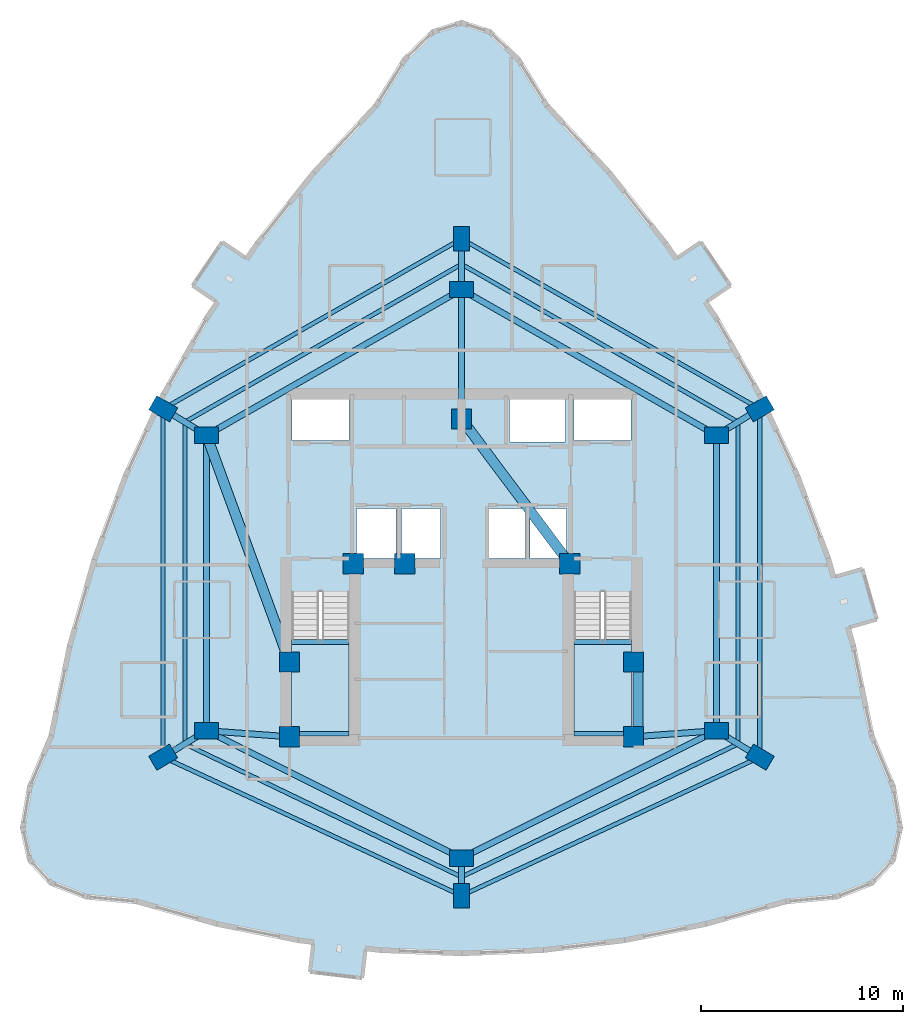
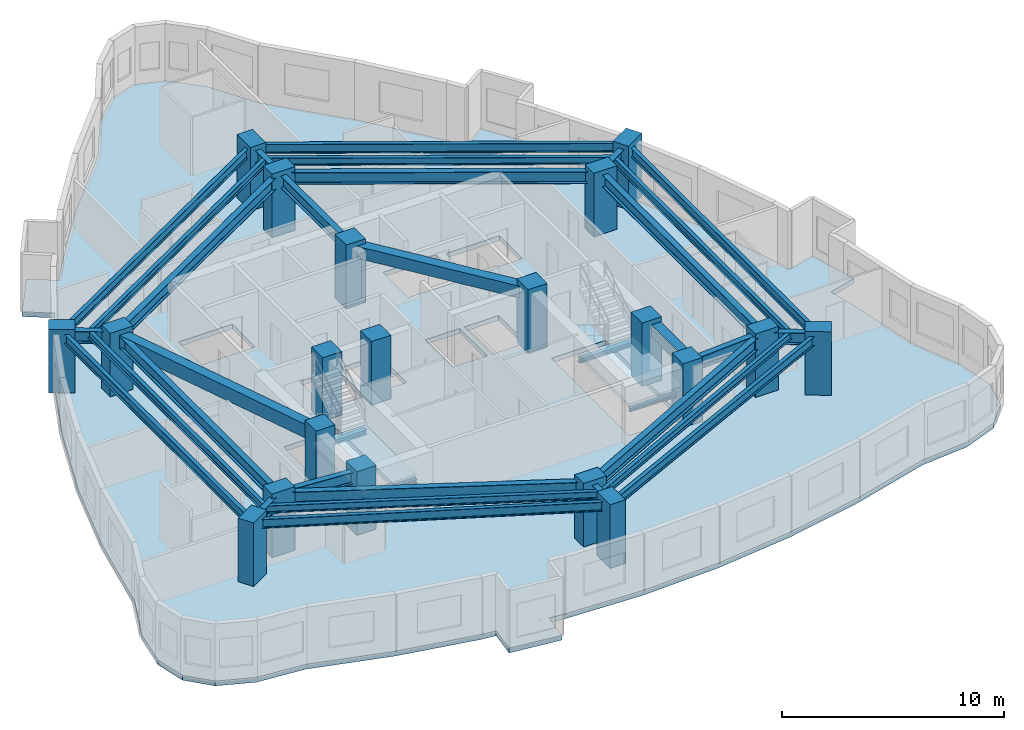
# One storey, part 1 of 9: 34 beams, 20 columns, 3 slabs, 2 elements without a shape of their own.
"""IFC4 building model written with IfcOpenShell, lengths in metres."""

from ifc_helpers import new_model, si_unit, direction, frame, origin, origin_2d, place, context, subcontext, project, spatial, polyline, rectangle, i_section, outline, extrude, material, layer, layer_set, material_profile, profile_set, type_object, element, aggregate, save


model = new_model("IFC4")

# Units and contexts
model_context = context("Model", 3, precision=1e-05, world=origin(), true_north=direction((0.0, 1.0)))
body_context = subcontext(model_context, "Body", "Model", "MODEL_VIEW")
ifc_project = project(units=[si_unit("LENGTHUNIT", "METRE"), si_unit("AREAUNIT", "SQUARE_METRE"), si_unit("VOLUMEUNIT", "CUBIC_METRE"), si_unit("PLANEANGLEUNIT", "RADIAN"), si_unit("MASSUNIT", "GRAM", prefix="KILO")], contexts=[model_context])

# Site, building, storey
site_placement = place(None, origin())
site = spatial("IfcSite", under=ifc_project, at=site_placement, CompositionType="ELEMENT")
building_placement = place(site_placement, origin())
building = spatial("IfcBuilding", under=site, at=building_placement, Name="Miruveldt Soraemaru", CompositionType="ELEMENT")
storey_placement = place(building_placement, frame((0.0, 0.0, 135.39990234375)))
storey = spatial("IfcBuildingStorey", under=building, at=storey_placement, Name="L37", CompositionType="ELEMENT", Elevation=135.39990234375)

# Columns
ifc_material_1 = material(Name="Concrete C60/75 (60 MPa)", Category="concrete")
ifc_material_profile_1 = material_profile(ifc_material_1, rectangle(XDim=1.0, YDim=1.0, at=origin_2d()), Name="Concrete C60/75 (60 MPa)", Category="concrete")
ifc_profile_set_1 = profile_set([ifc_material_profile_1], Name="Concrete C60/75 (60 MPa)")
column_type_1 = type_object("IfcColumnType", Name="COL-CORE-1000", PredefinedType="COLUMN", material=ifc_profile_set_1)
for number, where, z_axis, x_axis, name in (
    (1, (35.5, 35.5, 0.0), (0.0, 0.0, 1.0), (1.0, 0.0, 0.0), "L37 Structural Column CC1"),
    (2, (38.64990234375, 44.050048828125, 0.0), (0.0, 0.0, 1.0), (1.0, 0.0, 0.0), "L37 Structural Column CC2"),
    (3, (52.5, 35.5, 0.0), (0.0, 0.0, 1.0), (1.0, 0.0, 0.0), "L37 Structural Column CC3"),
    (4, (52.5, 39.199951171875, 0.0), (0.0, 0.0, 1.0), (1.0, 0.0, 0.0), "L37 Structural Column CC4"),
    (5, (49.35009765625, 44.050048828125, 0.0), (0.0, 0.0, 1.0), (1.0, 0.0, 0.0), "L37 Structural Column CC5"),
    (6, (44.0, 51.199951171875, 0.0), (0.0, 0.0, 1.0), (1.0, 0.0, 0.0), "L37 Structural Column CC6"),
    (7, (35.5, 39.199951171875, 0.0), (0.0, 0.0, 1.0), (1.0, 0.0, 0.0), "L37 Structural Column CC7"),
    (8, (41.199951171875, 44.050048828125, 0.0), (0.0, 0.0, 1.0), (1.0, 0.0, 0.0), "L37 Structural Column CC8"),
):
    element("IfcColumn", number, at=place(storey_placement, frame(where, z_axis=z_axis, x_axis=x_axis)), inside=storey, type_object=column_type_1, Name=name, PredefinedType="COLUMN", context=body_context, shape_type="SweptSolid", body=[
        extrude(rectangle(XDim=1.0, YDim=1.0, at=origin_2d()), origin(), (0.0, 0.0, 1.0), 3.5),
    ])
ifc_material_2 = material(Name="Concrete C70/85 (70 MPa)", Category="concrete")
ifc_material_profile_2 = material_profile(ifc_material_2, rectangle(XDim=1.199951171875, YDim=0.800048828125, at=origin_2d()), Name="Concrete C70/85 (70 MPa)", Category="concrete")
ifc_profile_set_2 = profile_set([ifc_material_profile_2], Name="Concrete C70/85 (70 MPa)")
column_type_2 = type_object("IfcColumnType", Name="COL-TW-Z2", PredefinedType="COLUMN", material=ifc_profile_set_2)
for number, where, z_axis, x_axis, name in (
    (9, (44.0, 57.60009765625, 0.0), (0.0, 0.0, 1.0), (1.0, 0.0, 0.0), "L37 Structural Column IR01"),
    (10, (56.60009765625, 50.39990234375, 0.0), (0.0, 0.0, 1.0), (1.0, 0.0, 0.0), "L37 Structural Column IR02"),
    (11, (56.60009765625, 35.800048828125, 0.0), (0.0, 0.0, 1.0), (1.0, 0.0, 0.0), "L37 Structural Column IR03"),
    (12, (44.0, 29.5, 0.0), (0.0, 0.0, 1.0), (1.0, 0.0, 0.0), "L37 Structural Column IR04"),
    (13, (31.39990234375, 35.800048828125, 0.0), (0.0, 0.0, 1.0), (1.0, 0.0, 0.0), "L37 Structural Column IR05"),
    (14, (31.39990234375, 50.39990234375, 0.0), (0.0, 0.0, 1.0), (1.0, 0.0, 0.0), "L37 Structural Column IR06"),
    (15, (44.0, 60.10595703125, 0.0), (0.0, 0.0, 1.0), (0.0, 1.0, 0.0), "L37 Structural Column Z2P01"),
    (16, (58.739990234375, 51.705078125, 0.0), (0.0, 0.0, 1.0), (0.866025403784, 0.5, 0.0), "L37 Structural Column Z2P02"),
    (17, (58.739990234375, 34.4951171875, 0.0), (0.0, 0.0, 1.0), (-0.860742027004, 0.50904141575, 0.0), "L37 Structural Column Z2P03"),
    (18, (44.0, 27.64697265625, 0.0), (0.0, 0.0, 1.0), (0.0, 1.0, 0.0), "L37 Structural Column Z2P04"),
    (19, (29.260009765625, 34.4951171875, 0.0), (0.0, 0.0, 1.0), (0.860742027004, 0.50904141575, 0.0), "L37 Structural Column Z2P05"),
    (20, (29.260009765625, 51.705078125, 0.0), (0.0, 0.0, 1.0), (-0.866025403784, 0.5, 0.0), "L37 Structural Column Z2P06"),
):
    element("IfcColumn", number, at=place(storey_placement, frame(where, z_axis=z_axis, x_axis=x_axis)), inside=storey, type_object=column_type_2, Name=name, PredefinedType="COLUMN", context=body_context, shape_type="SweptSolid", body=[
        extrude(rectangle(XDim=1.199951171875, YDim=0.800048828125, at=origin_2d()), origin(), (0.0, 0.0, 1.0), 3.5),
    ])

# Beams
ifc_material_3 = material(Name="Concrete C50/60 (50 MPa)", Category="concrete")
ifc_material_profile_3 = material_profile(ifc_material_3, rectangle(XDim=0.5, YDim=0.64990234375, at=origin_2d()), Name="Concrete C50/60 (50 MPa)", Category="concrete")
ifc_profile_set_3 = profile_set([ifc_material_profile_3], Name="Concrete C50/60 (50 MPa)")
beam_type_1 = type_object("IfcBeamType", Name="BM-RC-500x650", PredefinedType="BEAM", material=ifc_profile_set_3)
beam_1_placement = place(storey_placement, frame((52.72998046875, 35.5, 2.91015625), z_axis=(0.0, 1.0, 0.0), x_axis=(-1.0, 0.0, 0.0)))
element("IfcBeam", 21, at=beam_1_placement, inside=storey, type_object=beam_type_1, Name="L37 Core Tie Beam 3", PredefinedType="BEAM", context=body_context, shape_type="SweptSolid", body=[
    extrude(rectangle(XDim=0.5, YDim=0.64990234375, at=origin_2d()), origin(), (0.0, 0.0, 1.0), 3.699951171875),
])
beam_2_placement = place(storey_placement, frame((49.35009765625, 44.050048828125, 2.91015625), z_axis=(-0.599116023999, 0.800662219533, 0.0), x_axis=(-0.800662219533, -0.599116023999, 0.0)))
element("IfcBeam", 22, at=beam_2_placement, inside=storey, type_object=beam_type_1, Name="L37 Core Tie Beam 5", PredefinedType="BEAM", context=body_context, shape_type="SweptSolid", body=[
    extrude(rectangle(XDim=0.5, YDim=0.64990234375, at=origin_2d()), origin(), (0.0, 0.0, 1.0), 8.929931640625),
])
ifc_material_4 = material(Name="Concrete C40/50 (40 MPa)", Category="concrete")
ifc_material_profile_4 = material_profile(ifc_material_4, rectangle(XDim=0.5, YDim=0.75, at=origin_2d()), Name="Concrete C40/50 (40 MPa)", Category="concrete")
ifc_profile_set_4 = profile_set([ifc_material_profile_4], Name="Concrete C40/50 (40 MPa)")
beam_type_2 = type_object("IfcBeamType", Name="BM-RC-500x750", PredefinedType="LINTEL", material=ifc_profile_set_4)
beam_3_placement = place(storey_placement, frame((31.39990234375, 50.39990234375, 2.860107421875), z_axis=(0.343770424598, -0.939053723262, 0.0), x_axis=(0.939053723262, 0.343770424598, 0.0)))
element("IfcBeam", 23, at=beam_3_placement, inside=storey, type_object=beam_type_2, Name="L37 West Lobby Lintel", PredefinedType="LINTEL", context=body_context, shape_type="SweptSolid", body=[
    extrude(rectangle(XDim=0.5, YDim=0.75, at=origin_2d()), origin(), (0.0, 0.0, 1.0), 11.9267578125),
])
ifc_material_5 = material(Name="Steel SM355 (355 MPa)", Category="steel")
ifc_material_profile_5 = material_profile(ifc_material_5, i_section(OverallWidth=0.199951171875, OverallDepth=0.39990234375, WebThickness=0.008056640625, FlangeThickness=0.012939453125, FilletRadius=0.01611328125, at=origin_2d()), Name="Steel SM355 (355 MPa)", Category="steel")
ifc_profile_set_5 = profile_set([ifc_material_profile_5], Name="Steel SM355 (355 MPa)")
beam_type_3 = type_object("IfcBeamType", Name="BM-ST-H400", PredefinedType="JOIST", material=ifc_profile_set_5)
beam_4_placement = place(storey_placement, frame((44.0, 58.85302734375, 3.03515625), z_axis=(0.868539859756, -0.495619321672, 0.0), x_axis=(0.495619321672, 0.868539859756, 0.0)))
element("IfcBeam", 24, at=beam_4_placement, inside=storey, type_object=beam_type_3, Name="L37 Outer Bay Floor Joist 1", PredefinedType="JOIST", context=body_context, shape_type="SweptSolid", body=[
    extrude(i_section(OverallWidth=0.199951171875, OverallDepth=0.39990234375, WebThickness=0.008056640625, FlangeThickness=0.012939453125, FilletRadius=0.01611328125, at=origin_2d()), origin(), (0.0, 0.0, 1.0), 15.739013671875),
])
beam_5_placement = place(storey_placement, frame((57.669921875, 51.052490234375, 3.03515625), z_axis=(0.0, -1.0, 0.0), x_axis=(1.0, 0.0, 0.0)))
element("IfcBeam", 25, at=beam_5_placement, inside=storey, type_object=beam_type_3, Name="L37 Outer Bay Floor Joist 2", PredefinedType="JOIST", context=body_context, shape_type="SweptSolid", body=[
    extrude(i_section(OverallWidth=0.199951171875, OverallDepth=0.39990234375, WebThickness=0.008056640625, FlangeThickness=0.012939453125, FilletRadius=0.01611328125, at=origin_2d()), origin(), (0.0, 0.0, 1.0), 15.905029296875),
])
for number, where, z_axis, x_axis, name in (
    (26, (57.669921875, 35.1474609375, 3.03515625), (-0.901203586802, -0.433396002676, 0.0), (0.433396002676, -0.901203586802, 0.0), "L37 Outer Bay Floor Joist 3"),
    (27, (44.0, 28.573486328125, 3.03515625), (-0.901203586802, 0.433396002676, 0.0), (-0.433396002676, -0.901203586802, 0.0), "L37 Outer Bay Floor Joist 4"),
):
    element("IfcBeam", number, at=place(storey_placement, frame(where, z_axis=z_axis, x_axis=x_axis)), inside=storey, type_object=beam_type_3, Name=name, PredefinedType="JOIST", context=body_context, shape_type="SweptSolid", body=[
        extrude(i_section(OverallWidth=0.199951171875, OverallDepth=0.39990234375, WebThickness=0.008056640625, FlangeThickness=0.012939453125, FilletRadius=0.01611328125, at=origin_2d()), origin(), (0.0, 0.0, 1.0), 15.16845703125),
    ])
beam_6_placement = place(storey_placement, frame((30.330078125, 35.1474609375, 3.03515625), z_axis=(0.0, 1.0, 0.0), x_axis=(-1.0, 0.0, 0.0)))
element("IfcBeam", 28, at=beam_6_placement, inside=storey, type_object=beam_type_3, Name="L37 Outer Bay Floor Joist 5", PredefinedType="JOIST", context=body_context, shape_type="SweptSolid", body=[
    extrude(i_section(OverallWidth=0.199951171875, OverallDepth=0.39990234375, WebThickness=0.008056640625, FlangeThickness=0.012939453125, FilletRadius=0.01611328125, at=origin_2d()), origin(), (0.0, 0.0, 1.0), 15.905029296875),
])
beam_7_placement = place(storey_placement, frame((30.330078125, 51.052490234375, 3.03515625), z_axis=(0.868539859756, 0.495619321672, 0.0), x_axis=(-0.495619321672, 0.868539859756, 0.0)))
element("IfcBeam", 29, at=beam_7_placement, inside=storey, type_object=beam_type_3, Name="L37 Outer Bay Floor Joist 6", PredefinedType="JOIST", context=body_context, shape_type="SweptSolid", body=[
    extrude(i_section(OverallWidth=0.199951171875, OverallDepth=0.39990234375, WebThickness=0.008056640625, FlangeThickness=0.012939453125, FilletRadius=0.01611328125, at=origin_2d()), origin(), (0.0, 0.0, 1.0), 15.739013671875),
])
ifc_material_profile_6 = material_profile(ifc_material_5, i_section(OverallWidth=0.199951171875, OverallDepth=0.5, WebThickness=0.010009765625, FlangeThickness=0.01611328125, FilletRadius=0.02001953125, at=origin_2d()), Name="Steel SM355 (355 MPa)", Category="steel")
ifc_profile_set_6 = profile_set([ifc_material_profile_6], Name="Steel SM355 (355 MPa)")
beam_type_4 = type_object("IfcBeamType", Name="BM-ST-H500", PredefinedType="SPANDREL", material=ifc_profile_set_6)
beam_8_placement = place(storey_placement, frame((44.0, 60.10595703125, 2.985107421875), z_axis=(0.86880048516, -0.495162313778, 0.0), x_axis=(0.495162313778, 0.86880048516, 0.0)))
element("IfcBeam", 30, at=beam_8_placement, inside=storey, type_object=beam_type_4, Name="L37 Zone-2 Spandrel Beam 1", PredefinedType="SPANDREL", context=body_context, shape_type="SweptSolid", body=[
    extrude(i_section(OverallWidth=0.199951171875, OverallDepth=0.5, WebThickness=0.010009765625, FlangeThickness=0.01611328125, FilletRadius=0.02001953125, at=origin_2d()), origin(), (0.0, 0.0, 1.0), 16.9658203125),
])
beam_9_placement = place(storey_placement, frame((58.739990234375, 51.705078125, 2.985107421875), z_axis=(0.0, -1.0, 0.0), x_axis=(1.0, 0.0, 0.0)))
element("IfcBeam", 31, at=beam_9_placement, inside=storey, type_object=beam_type_4, Name="L37 Zone-2 Spandrel Beam 2", PredefinedType="SPANDREL", context=body_context, shape_type="SweptSolid", body=[
    extrude(i_section(OverallWidth=0.199951171875, OverallDepth=0.5, WebThickness=0.010009765625, FlangeThickness=0.01611328125, FilletRadius=0.02001953125, at=origin_2d()), origin(), (0.0, 0.0, 1.0), 17.2099609375),
])
for number, where, z_axis, x_axis, name in (
    (32, (58.739990234375, 34.4951171875, 2.985107421875), (-0.906901362829, -0.421342993414, 0.0), (0.421342993414, -0.906901362829, 0.0), "L37 Zone-2 Spandrel Beam 3"),
    (33, (44.0, 27.64697265625, 2.985107421875), (-0.906901362829, 0.421342993414, 0.0), (-0.421342993414, -0.906901362829, 0.0), "L37 Zone-2 Spandrel Beam 4"),
):
    element("IfcBeam", number, at=place(storey_placement, frame(where, z_axis=z_axis, x_axis=x_axis)), inside=storey, type_object=beam_type_4, Name=name, PredefinedType="SPANDREL", context=body_context, shape_type="SweptSolid", body=[
        extrude(i_section(OverallWidth=0.199951171875, OverallDepth=0.5, WebThickness=0.010009765625, FlangeThickness=0.01611328125, FilletRadius=0.02001953125, at=origin_2d()), origin(), (0.0, 0.0, 1.0), 16.253173828125),
    ])
beam_10_placement = place(storey_placement, frame((29.260009765625, 34.4951171875, 2.985107421875), z_axis=(0.0, 1.0, 0.0), x_axis=(-1.0, 0.0, 0.0)))
element("IfcBeam", 34, at=beam_10_placement, inside=storey, type_object=beam_type_4, Name="L37 Zone-2 Spandrel Beam 5", PredefinedType="SPANDREL", context=body_context, shape_type="SweptSolid", body=[
    extrude(i_section(OverallWidth=0.199951171875, OverallDepth=0.5, WebThickness=0.010009765625, FlangeThickness=0.01611328125, FilletRadius=0.02001953125, at=origin_2d()), origin(), (0.0, 0.0, 1.0), 17.2099609375),
])
beam_11_placement = place(storey_placement, frame((29.260009765625, 51.705078125, 2.985107421875), z_axis=(0.86880048516, 0.495162313778, 0.0), x_axis=(-0.495162313778, 0.86880048516, 0.0)))
element("IfcBeam", 35, at=beam_11_placement, inside=storey, type_object=beam_type_4, Name="L37 Zone-2 Spandrel Beam 6", PredefinedType="SPANDREL", context=body_context, shape_type="SweptSolid", body=[
    extrude(i_section(OverallWidth=0.199951171875, OverallDepth=0.5, WebThickness=0.010009765625, FlangeThickness=0.01611328125, FilletRadius=0.02001953125, at=origin_2d()), origin(), (0.0, 0.0, 1.0), 16.9658203125),
])
ifc_material_profile_7 = material_profile(ifc_material_5, i_section(OverallWidth=0.300048828125, OverallDepth=0.64990234375, WebThickness=0.012939453125, FlangeThickness=0.02197265625, FilletRadius=0.02587890625, at=origin_2d()), Name="Steel SM355 (355 MPa)", Category="steel")
ifc_profile_set_7 = profile_set([ifc_material_profile_7], Name="Steel SM355 (355 MPa)")
beam_type_5 = type_object("IfcBeamType", Name="BM-ST-H650", PredefinedType="BEAM", material=ifc_profile_set_7)
beam_12_placement = place(storey_placement, frame((44.0, 57.60009765625, 2.91015625), z_axis=(0.868239001029, -0.496146185203, 0.0), x_axis=(0.496146185203, 0.868239001029, 0.0)))
element("IfcBeam", 36, at=beam_12_placement, inside=storey, type_object=beam_type_5, Name="L37 Inner Ring Girder 1", PredefinedType="BEAM", context=body_context, shape_type="SweptSolid", body=[
    extrude(i_section(OverallWidth=0.300048828125, OverallDepth=0.64990234375, WebThickness=0.012939453125, FlangeThickness=0.02197265625, FilletRadius=0.02587890625, at=origin_2d()), origin(), (0.0, 0.0, 1.0), 14.51220703125),
])
beam_13_placement = place(storey_placement, frame((44.0, 51.199951171875, 2.91015625), z_axis=(0.0, 1.0, 0.0), x_axis=(-1.0, 0.0, 0.0)))
element("IfcBeam", 37, at=beam_13_placement, inside=storey, type_object=beam_type_5, Name="L37 Core-to-Inner Radial Girder 1", PredefinedType="BEAM", context=body_context, shape_type="SweptSolid", body=[
    extrude(i_section(OverallWidth=0.300048828125, OverallDepth=0.64990234375, WebThickness=0.012939453125, FlangeThickness=0.02197265625, FilletRadius=0.02587890625, at=origin_2d()), origin(), (0.0, 0.0, 1.0), 6.400146484375),
])
beam_14_placement = place(storey_placement, frame((56.60009765625, 50.39990234375, 2.91015625), z_axis=(0.0, -1.0, 0.0), x_axis=(1.0, 0.0, 0.0)))
element("IfcBeam", 38, at=beam_14_placement, inside=storey, type_object=beam_type_5, Name="L37 Inner Ring Girder 2", PredefinedType="BEAM", context=body_context, shape_type="SweptSolid", body=[
    extrude(i_section(OverallWidth=0.300048828125, OverallDepth=0.64990234375, WebThickness=0.012939453125, FlangeThickness=0.02197265625, FilletRadius=0.02587890625, at=origin_2d()), origin(), (0.0, 0.0, 1.0), 14.599853515625),
])
beam_15_placement = place(storey_placement, frame((56.60009765625, 35.800048828125, 2.91015625), z_axis=(-0.894427191, -0.4472135955, 0.0), x_axis=(0.4472135955, -0.894427191, 0.0)))
element("IfcBeam", 39, at=beam_15_placement, inside=storey, type_object=beam_type_5, Name="L37 Inner Ring Girder 3", PredefinedType="BEAM", context=body_context, shape_type="SweptSolid", body=[
    extrude(i_section(OverallWidth=0.300048828125, OverallDepth=0.64990234375, WebThickness=0.012939453125, FlangeThickness=0.02197265625, FilletRadius=0.02587890625, at=origin_2d()), origin(), (0.0, 0.0, 1.0), 14.08740234375),
])
beam_16_placement = place(storey_placement, frame((52.5, 35.5, 2.91015625), z_axis=(0.997332985605, 0.072985723431, 0.0), x_axis=(-0.072985723431, 0.997332985605, 0.0)))
element("IfcBeam", 40, at=beam_16_placement, inside=storey, type_object=beam_type_5, Name="L37 Core-to-Inner Radial Girder 3", PredefinedType="BEAM", context=body_context, shape_type="SweptSolid", body=[
    extrude(i_section(OverallWidth=0.300048828125, OverallDepth=0.64990234375, WebThickness=0.012939453125, FlangeThickness=0.02197265625, FilletRadius=0.02587890625, at=origin_2d()), origin(), (0.0, 0.0, 1.0), 4.111083984375),
])
beam_17_placement = place(storey_placement, frame((44.0, 29.5, 2.91015625), z_axis=(-0.894427191, 0.4472135955, 0.0), x_axis=(-0.4472135955, -0.894427191, 0.0)))
element("IfcBeam", 41, at=beam_17_placement, inside=storey, type_object=beam_type_5, Name="L37 Inner Ring Girder 4", PredefinedType="BEAM", context=body_context, shape_type="SweptSolid", body=[
    extrude(i_section(OverallWidth=0.300048828125, OverallDepth=0.64990234375, WebThickness=0.012939453125, FlangeThickness=0.02197265625, FilletRadius=0.02587890625, at=origin_2d()), origin(), (0.0, 0.0, 1.0), 14.08740234375),
])
beam_18_placement = place(storey_placement, frame((31.39990234375, 35.800048828125, 2.91015625), z_axis=(0.0, 1.0, 0.0), x_axis=(-1.0, 0.0, 0.0)))
element("IfcBeam", 42, at=beam_18_placement, inside=storey, type_object=beam_type_5, Name="L37 Inner Ring Girder 5", PredefinedType="BEAM", context=body_context, shape_type="SweptSolid", body=[
    extrude(i_section(OverallWidth=0.300048828125, OverallDepth=0.64990234375, WebThickness=0.012939453125, FlangeThickness=0.02197265625, FilletRadius=0.02587890625, at=origin_2d()), origin(), (0.0, 0.0, 1.0), 14.599853515625),
])
beam_19_placement = place(storey_placement, frame((35.5, 35.5, 2.91015625), z_axis=(-0.997332985605, 0.072985723431, 0.0), x_axis=(-0.072985723431, -0.997332985605, 0.0)))
element("IfcBeam", 43, at=beam_19_placement, inside=storey, type_object=beam_type_5, Name="L37 Core-to-Inner Radial Girder 5", PredefinedType="BEAM", context=body_context, shape_type="SweptSolid", body=[
    extrude(i_section(OverallWidth=0.300048828125, OverallDepth=0.64990234375, WebThickness=0.012939453125, FlangeThickness=0.02197265625, FilletRadius=0.02587890625, at=origin_2d()), origin(), (0.0, 0.0, 1.0), 4.111083984375),
])
beam_20_placement = place(storey_placement, frame((31.39990234375, 50.39990234375, 2.91015625), z_axis=(0.868239001029, 0.496146185203, 0.0), x_axis=(-0.496146185203, 0.868239001029, 0.0)))
element("IfcBeam", 44, at=beam_20_placement, inside=storey, type_object=beam_type_5, Name="L37 Inner Ring Girder 6", PredefinedType="BEAM", context=body_context, shape_type="SweptSolid", body=[
    extrude(i_section(OverallWidth=0.300048828125, OverallDepth=0.64990234375, WebThickness=0.012939453125, FlangeThickness=0.02197265625, FilletRadius=0.02587890625, at=origin_2d()), origin(), (0.0, 0.0, 1.0), 14.51220703125),
])
beam_21_placement = place(storey_placement, frame((44.0, 57.60009765625, 2.91015625), z_axis=(0.0, 1.0, 0.0), x_axis=(-1.0, 0.0, 0.0)))
element("IfcBeam", 45, at=beam_21_placement, inside=storey, type_object=beam_type_5, Name="L37 Zone-2 Radial Girder 1", PredefinedType="BEAM", context=body_context, shape_type="SweptSolid", body=[
    extrude(i_section(OverallWidth=0.300048828125, OverallDepth=0.64990234375, WebThickness=0.012939453125, FlangeThickness=0.02197265625, FilletRadius=0.02587890625, at=origin_2d()), origin(), (0.0, 0.0, 1.0), 2.505859375),
])
beam_22_placement = place(storey_placement, frame((56.60009765625, 50.39990234375, 2.91015625), z_axis=(0.85373175529, 0.520713059188, 0.0), x_axis=(-0.520713059188, 0.85373175529, 0.0)))
element("IfcBeam", 46, at=beam_22_placement, inside=storey, type_object=beam_type_5, Name="L37 Zone-2 Radial Girder 2", PredefinedType="BEAM", context=body_context, shape_type="SweptSolid", body=[
    extrude(i_section(OverallWidth=0.300048828125, OverallDepth=0.64990234375, WebThickness=0.012939453125, FlangeThickness=0.02197265625, FilletRadius=0.02587890625, at=origin_2d()), origin(), (0.0, 0.0, 1.0), 2.506591796875),
])
beam_23_placement = place(storey_placement, frame((56.60009765625, 35.800048828125, 2.91015625), z_axis=(0.853775054686, -0.5206420613, 0.0), x_axis=(0.5206420613, 0.853775054686, 0.0)))
element("IfcBeam", 47, at=beam_23_placement, inside=storey, type_object=beam_type_5, Name="L37 Zone-2 Radial Girder 3", PredefinedType="BEAM", context=body_context, shape_type="SweptSolid", body=[
    extrude(i_section(OverallWidth=0.300048828125, OverallDepth=0.64990234375, WebThickness=0.012939453125, FlangeThickness=0.02197265625, FilletRadius=0.02587890625, at=origin_2d()), origin(), (0.0, 0.0, 1.0), 2.50634765625),
])
beam_24_placement = place(storey_placement, frame((44.0, 29.5, 2.91015625), z_axis=(0.0, -1.0, 0.0), x_axis=(1.0, 0.0, 0.0)))
element("IfcBeam", 48, at=beam_24_placement, inside=storey, type_object=beam_type_5, Name="L37 Zone-2 Radial Girder 4", PredefinedType="BEAM", context=body_context, shape_type="SweptSolid", body=[
    extrude(i_section(OverallWidth=0.300048828125, OverallDepth=0.64990234375, WebThickness=0.012939453125, FlangeThickness=0.02197265625, FilletRadius=0.02587890625, at=origin_2d()), origin(), (0.0, 0.0, 1.0), 1.85302734375),
])
beam_25_placement = place(storey_placement, frame((31.39990234375, 35.800048828125, 2.91015625), z_axis=(-0.853775054686, -0.5206420613, 0.0), x_axis=(0.5206420613, -0.853775054686, 0.0)))
element("IfcBeam", 49, at=beam_25_placement, inside=storey, type_object=beam_type_5, Name="L37 Zone-2 Radial Girder 5", PredefinedType="BEAM", context=body_context, shape_type="SweptSolid", body=[
    extrude(i_section(OverallWidth=0.300048828125, OverallDepth=0.64990234375, WebThickness=0.012939453125, FlangeThickness=0.02197265625, FilletRadius=0.02587890625, at=origin_2d()), origin(), (0.0, 0.0, 1.0), 2.50634765625),
])
beam_26_placement = place(storey_placement, frame((31.39990234375, 50.39990234375, 2.91015625), z_axis=(-0.85373175529, 0.520713059188, 0.0), x_axis=(-0.520713059188, -0.85373175529, 0.0)))
element("IfcBeam", 50, at=beam_26_placement, inside=storey, type_object=beam_type_5, Name="L37 Zone-2 Radial Girder 6", PredefinedType="BEAM", context=body_context, shape_type="SweptSolid", body=[
    extrude(i_section(OverallWidth=0.300048828125, OverallDepth=0.64990234375, WebThickness=0.012939453125, FlangeThickness=0.02197265625, FilletRadius=0.02587890625, at=origin_2d()), origin(), (0.0, 0.0, 1.0), 2.506591796875),
])
ifc_material_profile_8 = material_profile(ifc_material_5, i_section(OverallWidth=0.199951171875, OverallDepth=0.199951171875, WebThickness=0.008056640625, FlangeThickness=0.011962890625, FilletRadius=0.012939453125, at=origin_2d()), Name="Steel SM355 (355 MPa)", Category="steel")
ifc_profile_set_8 = profile_set([ifc_material_profile_8], Name="Steel SM355 (355 MPa)")
beam_type_6 = type_object("IfcBeamType", Name="BM-ST-LND200", PredefinedType="BEAM", material=ifc_profile_set_8)
for number, where, z_axis, x_axis, name in (
    (51, (35.60009765625, 35.64990234375, 1.4501953125), (1.0, 0.0, 0.0), (0.0, 1.0, 0.0), "L37 ST1 Landing End Beam 1B"),
    (52, (49.550048828125, 35.64990234375, 1.4501953125), (1.0, 0.0, 0.0), (0.0, 1.0, 0.0), "L37 ST2 Landing End Beam 1B"),
):
    element("IfcBeam", number, at=place(storey_placement, frame(where, z_axis=z_axis, x_axis=x_axis)), inside=storey, type_object=beam_type_6, Name=name, PredefinedType="BEAM", context=body_context, shape_type="SweptSolid", body=[
        extrude(i_section(OverallWidth=0.199951171875, OverallDepth=0.199951171875, WebThickness=0.008056640625, FlangeThickness=0.011962890625, FilletRadius=0.012939453125, at=origin_2d()), origin(), (0.0, 0.0, 1.0), 2.849853515625),
    ])
ifc_material_profile_9 = material_profile(ifc_material_5, i_section(OverallWidth=0.25, OverallDepth=0.25, WebThickness=0.009033203125, FlangeThickness=0.013916015625, FilletRadius=0.01611328125, at=origin_2d()), Name="Steel SM355 (355 MPa)", Category="steel")
ifc_profile_set_9 = profile_set([ifc_material_profile_9], Name="Steel SM355 (355 MPa)")
beam_type_7 = type_object("IfcBeamType", Name="BM-ST-LND250", PredefinedType="BEAM", material=ifc_profile_set_9)
for number, where, z_axis, x_axis, name in (
    (53, (35.60009765625, 40.179931640625, 1.425048828125), (1.0, 0.0, 0.0), (0.0, 1.0, 0.0), "L37 ST1 Landing Support Beam 1A"),
    (54, (49.550048828125, 40.179931640625, 1.425048828125), (1.0, 0.0, 0.0), (0.0, 1.0, 0.0), "L37 ST2 Landing Support Beam 1A"),
):
    element("IfcBeam", number, at=place(storey_placement, frame(where, z_axis=z_axis, x_axis=x_axis)), inside=storey, type_object=beam_type_7, Name=name, PredefinedType="BEAM", context=body_context, shape_type="SweptSolid", body=[
        extrude(i_section(OverallWidth=0.25, OverallDepth=0.25, WebThickness=0.009033203125, FlangeThickness=0.013916015625, FilletRadius=0.01611328125, at=origin_2d()), origin(), (0.0, 0.0, 1.0), 2.849853515625),
    ])

# Stair, slab
stair_type = type_object("IfcStairType", Name="STAIR-DL-350", PredefinedType="HALF_TURN_STAIR", material=ifc_material_4)
stair_1_placement = place(storey_placement, origin())
stair_1 = element("IfcStair", 55, at=stair_1_placement, inside=storey, type_object=stair_type, Name="L37 Protected Exit Stair ST-1", PredefinedType="HALF_TURN_STAIR")
ifc_layer_1 = layer(ifc_material_4, 0.199951171875, Name="Concrete C40/50 (40 MPa)", Category="concrete")
ifc_layer_set_1 = layer_set([ifc_layer_1], Name="Concrete C40/50 (40 MPa)")
slab_type_1 = type_object("IfcSlabType", Name="SLAB-LAND-200", PredefinedType="LANDING", material=ifc_layer_set_1)
slab_1_placement = place(storey_placement, frame((0.0, 0.0, 1.550048828125)))
slab_1 = element("IfcSlab", 56, at=slab_1_placement, type_object=slab_type_1, Name="ST-1 landing 1", PredefinedType="LANDING", context=body_context, shape_type="SweptSolid", body=[
    extrude(outline(polyline([(35.60009765625, 40.197998046875), (35.60009765625, 35.64990234375), (38.449951171875, 35.64990234375), (38.449951171875, 40.197998046875), (35.60009765625, 40.197998046875)])), origin(), (0.0, 0.0, 1.0), 0.199951171875),
])
aggregate(stair_1, [slab_1])

stair_2_placement = place(storey_placement, origin())
stair_2 = element("IfcStair", 57, at=stair_2_placement, inside=storey, type_object=stair_type, Name="L37 Protected Exit Stair ST-2", PredefinedType="HALF_TURN_STAIR")
slab_2_placement = place(storey_placement, frame((0.0, 0.0, 1.550048828125)))
slab_2 = element("IfcSlab", 58, at=slab_2_placement, type_object=slab_type_1, Name="ST-2 landing 1", PredefinedType="LANDING", context=body_context, shape_type="SweptSolid", body=[
    extrude(outline(polyline([(49.550048828125, 40.197998046875), (49.550048828125, 35.64990234375), (52.39990234375, 35.64990234375), (52.39990234375, 40.197998046875), (49.550048828125, 40.197998046875)])), origin(), (0.0, 0.0, 1.0), 0.199951171875),
])
aggregate(stair_2, [slab_2])

# Slab
ifc_layer_2 = layer(ifc_material_4, 0.264892578125, Name="Concrete C40/50 (40 MPa)", Category="concrete")
ifc_layer_set_2 = layer_set([ifc_layer_2], Name="Concrete C40/50 (40 MPa)")
slab_type_2 = type_object("IfcSlabType", Name="SLAB-RES2-265", PredefinedType="FLOOR", material=ifc_layer_set_2)
slab_3_placement = place(storey_placement, frame((0.0, 0.0, -0.264892578125)))
element("IfcSlab", 59, at=slab_3_placement, inside=storey, type_object=slab_type_2, Name="L37 Structural Floor Slab", PredefinedType="FLOOR", context=body_context, shape_type="SweptSolid", body=[
    extrude(outline(polyline([(36.508056640625, 23.88427734375), (36.684326171875, 25.353759765625), (35.966796875, 25.43994140625), (31.9501953125, 26.2431640625), (27.93359375, 27.367919921875), (25.478515625, 27.594482421875), (23.724853515625, 28.27490234375), (22.672607421875, 29.408935546875), (22.322021484375, 30.99658203125), (22.672607421875, 33.03759765625), (23.724853515625, 35.532470703125), (24.64208984375, 39.99072265625), (25.871337890625, 44.288330078125), (27.412109375, 48.42529296875), (29.2646484375, 52.4013671875), (31.4287109375, 56.217041015625), (31.9375, 56.968017578125), (30.71240234375, 57.798095703125), (32.17041015625, 59.95068359375), (33.395751953125, 59.120849609375), (32.666748046875, 58.04443359375), (33.904541015625, 59.871826171875), (36.69189453125, 63.3662109375), (39.791259765625, 66.69970703125), (41.194091796875, 68.967529296875), (42.59716796875, 70.328369140625), (44.0, 70.781982421875), (45.40283203125, 70.328369140625), (46.805908203125, 68.967529296875), (48.208740234375, 66.69970703125), (51.30810546875, 63.3662109375), (54.095458984375, 59.871826171875), (55.333251953125, 58.04443359375), (54.604248046875, 59.120849609375), (55.82958984375, 59.95068359375), (57.28759765625, 57.798095703125), (56.0625, 56.968017578125), (56.5712890625, 56.217041015625), (58.7353515625, 52.4013671875), (60.587890625, 48.42529296875), (62.128662109375, 44.288330078125), (62.3857421875, 43.389404296875), (63.80859375, 43.79638671875), (64.523681640625, 41.296630859375), (63.1005859375, 40.8896484375), (62.7431640625, 42.139404296875), (63.35791015625, 39.99072265625), (64.275146484375, 35.532470703125), (65.327392578125, 33.03759765625), (65.677978515625, 30.99658203125), (65.327392578125, 29.408935546875), (64.275146484375, 28.27490234375), (62.521484375, 27.594482421875), (60.06640625, 27.367919921875), (56.0498046875, 26.2431640625), (52.033203125, 25.43994140625), (48.0166015625, 24.9580078125), (44.0, 24.797119140625), (39.9833984375, 24.9580078125), (37.97509765625, 25.198974609375), (39.265869140625, 25.0439453125), (39.089599609375, 23.574462890625), (36.508056640625, 23.88427734375)]), holes=[polyline([(35.614990234375, 35.6650390625), (38.43505859375, 35.6650390625), (38.43505859375, 42.68505859375), (35.614990234375, 42.68505859375), (35.614990234375, 35.6650390625)]), polyline([(49.56494140625, 35.6650390625), (52.385009765625, 35.6650390625), (52.385009765625, 42.68505859375), (49.56494140625, 42.68505859375), (49.56494140625, 35.6650390625)]), polyline([(40.764892578125, 44.31494140625), (40.764892578125, 46.784912109375), (38.81494140625, 46.784912109375), (38.81494140625, 44.31494140625), (40.764892578125, 44.31494140625)]), polyline([(42.965087890625, 44.31494140625), (42.965087890625, 46.784912109375), (41.034912109375, 46.784912109375), (41.034912109375, 44.31494140625), (42.965087890625, 44.31494140625)]), polyline([(47.1650390625, 44.31494140625), (47.1650390625, 46.784912109375), (45.364990234375, 46.784912109375), (45.364990234375, 44.31494140625), (47.1650390625, 44.31494140625)]), polyline([(49.18505859375, 44.31494140625), (49.18505859375, 46.784912109375), (47.39501953125, 46.784912109375), (47.39501953125, 44.31494140625), (49.18505859375, 44.31494140625)]), polyline([(38.445068359375, 50.135009765625), (38.445068359375, 52.205078125), (35.635009765625, 52.205078125), (35.635009765625, 50.135009765625), (38.445068359375, 50.135009765625)]), polyline([(49.554931640625, 50.135009765625), (52.364990234375, 50.135009765625), (52.364990234375, 52.205078125), (49.554931640625, 52.205078125), (49.554931640625, 50.135009765625)]), polyline([(46.364990234375, 50.06494140625), (49.135009765625, 50.06494140625), (49.135009765625, 52.3349609375), (46.364990234375, 52.3349609375), (46.364990234375, 50.06494140625)])]), origin(), (0.0, 0.0, 1.0), 0.264892578125),
])

save(model, "model.ifc")
